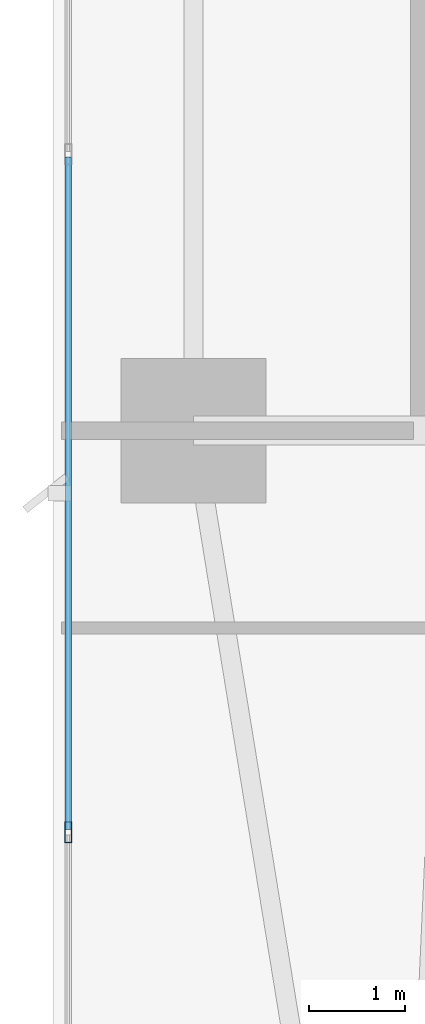
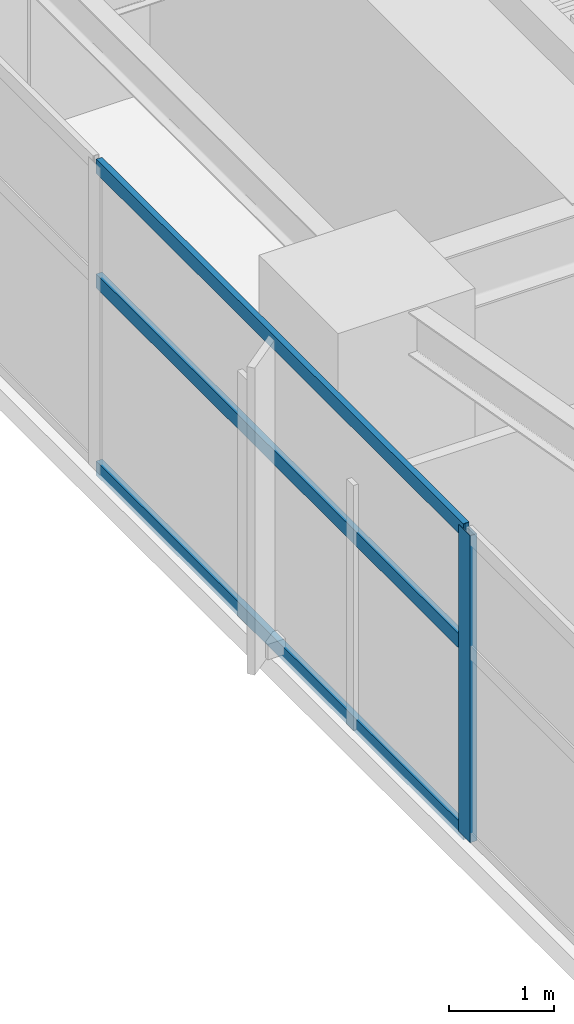
# One storey, part 4 of 29: 4 members, 1 element without a shape of its own.
"""IFC4 building model written with IfcOpenShell, lengths in metres."""

from ifc_helpers import new_model, si_unit, direction, frame, origin, origin_2d, place, context, subcontext, project, spatial, hollow_rectangle, extrude, material, layer, layer_set, material_profile, profile_set, type_object, element, aggregate, save


model = new_model("IFC4")

# Units and contexts
model_context = context("Model", 3, precision=1e-05, world=origin(), true_north=direction((0.0, 1.0)))
body_context = subcontext(model_context, "Body", "Model", "MODEL_VIEW")
ifc_project = project(units=[si_unit("LENGTHUNIT", "METRE"), si_unit("AREAUNIT", "SQUARE_METRE"), si_unit("VOLUMEUNIT", "CUBIC_METRE"), si_unit("PLANEANGLEUNIT", "RADIAN"), si_unit("MASSUNIT", "GRAM", prefix="KILO")], contexts=[model_context])

# Site, building, storey
site_placement = place(None, origin())
site = spatial("IfcSite", under=ifc_project, at=site_placement, CompositionType="ELEMENT")
building_placement = place(site_placement, origin())
building = spatial("IfcBuilding", under=site, at=building_placement, Name="Calvorn Quay Hotel", CompositionType="ELEMENT")
storey_placement = place(building_placement, frame((0.0, 0.0, 34.60009765625)))
storey = spatial("IfcBuildingStorey", under=building, at=storey_placement, Name="L07", CompositionType="ELEMENT", Elevation=34.60009765625)

# Curtain wall, members
ifc_material_1 = material(Name="Pale Anodised Aluminium and Low-E Glass", Category="aluminium")
ifc_layer = layer(ifc_material_1, 0.219970703125)
ifc_layer_set = layer_set([ifc_layer], Name="CW-SYS-Z1")
curtain_wall_type = type_object("IfcCurtainWallType", Name="CW-SYS-Z1", PredefinedType="NOTDEFINED", material=ifc_layer_set)
curtain_wall_placement = place(storey_placement, origin())
curtain_wall = element("IfcCurtainWall", 1, at=curtain_wall_placement, inside=storey, type_object=curtain_wall_type, Name="Tower West Curtain Wall (L07)", PredefinedType="NOTDEFINED")
ifc_material_2 = material(Name="Pale Anodised Aluminium 6063-T6", Category="aluminium")
ifc_material_profile_1 = material_profile(ifc_material_2, hollow_rectangle(XDim=0.074951171875, YDim=0.219970703125, WallThickness=0.00439453125, at=origin_2d()), Name="ALU-M220x75x4.5")
ifc_profile_set_1 = profile_set([ifc_material_profile_1], Name="Pale Anodised Aluminium 6063-T6")
member_type_1 = type_object("IfcMemberType", Name="CW-SYS-Z1-MUL", PredefinedType="MULLION", material=ifc_profile_set_1)
member_1_placement = place(storey_placement, frame((0.14990234375, 12.63330078125, 0.0), z_axis=(0.0, 0.0, 1.0), x_axis=(-1.0, 0.0, 0.0)))
member_1 = element("IfcMember", 2, at=member_1_placement, type_object=member_type_1, Name="CW-L07-W mullion 2", PredefinedType="MULLION", context=body_context, shape_type="SweptSolid", body=[
    extrude(hollow_rectangle(XDim=0.074951171875, YDim=0.219970703125, WallThickness=0.00439453125, at=origin_2d()), origin(), (0.0, 0.0, 1.0), 3.559814453125),
])
ifc_material_3 = material(Name="Pale Anodised Aluminium 6063-T6", Category="aluminium")
ifc_material_profile_2 = material_profile(ifc_material_3, hollow_rectangle(XDim=0.06494140625, YDim=0.1650390625, WallThickness=0.00341796875, at=origin_2d()), Name="ALU-T165x65x3.5")
ifc_profile_set_2 = profile_set([ifc_material_profile_2], Name="Pale Anodised Aluminium 6063-T6")
member_type_2 = type_object("IfcMemberType", Name="CW-SYS-Z1-TRN", PredefinedType="USERDEFINED", material=ifc_profile_set_2)
member_2_placement = place(storey_placement, frame((0.14990234375, 12.663330078125, 0.02978515625), z_axis=(0.0, 1.0, 0.0), x_axis=(-1.0, 0.0, 0.0)))
member_2 = element("IfcMember", 3, at=member_2_placement, type_object=member_type_2, Name="CW-L07-W transom 2.1", ObjectType="TRANSOM", PredefinedType="USERDEFINED", context=body_context, shape_type="SweptSolid", body=[
    extrude(hollow_rectangle(XDim=0.06494140625, YDim=0.1650390625, WallThickness=0.00341796875, at=origin_2d()), origin(), (0.0, 0.0, 1.0), 6.973388671875),
])
member_3_placement = place(storey_placement, frame((0.14990234375, 12.663330078125, 2.199951171875), z_axis=(0.0, 1.0, 0.0), x_axis=(-1.0, 0.0, 0.0)))
member_3 = element("IfcMember", 4, at=member_3_placement, type_object=member_type_2, Name="CW-L07-W transom 2.2", ObjectType="TRANSOM", PredefinedType="USERDEFINED", context=body_context, shape_type="SweptSolid", body=[
    extrude(hollow_rectangle(XDim=0.06494140625, YDim=0.1650390625, WallThickness=0.00341796875, at=origin_2d()), origin(), (0.0, 0.0, 1.0), 6.973388671875),
])
member_4_placement = place(storey_placement, frame((0.14990234375, 12.663330078125, 3.52978515625), z_axis=(0.0, 1.0, 0.0), x_axis=(-1.0, 0.0, 0.0)))
member_4 = element("IfcMember", 5, at=member_4_placement, type_object=member_type_2, Name="CW-L07-W transom 2.3", ObjectType="TRANSOM", PredefinedType="USERDEFINED", context=body_context, shape_type="SweptSolid", body=[
    extrude(hollow_rectangle(XDim=0.06494140625, YDim=0.1650390625, WallThickness=0.00341796875, at=origin_2d()), origin(), (0.0, 0.0, 1.0), 6.973388671875),
])
aggregate(curtain_wall, [member_1, member_2, member_3, member_4])

save(model, "model.ifc")
